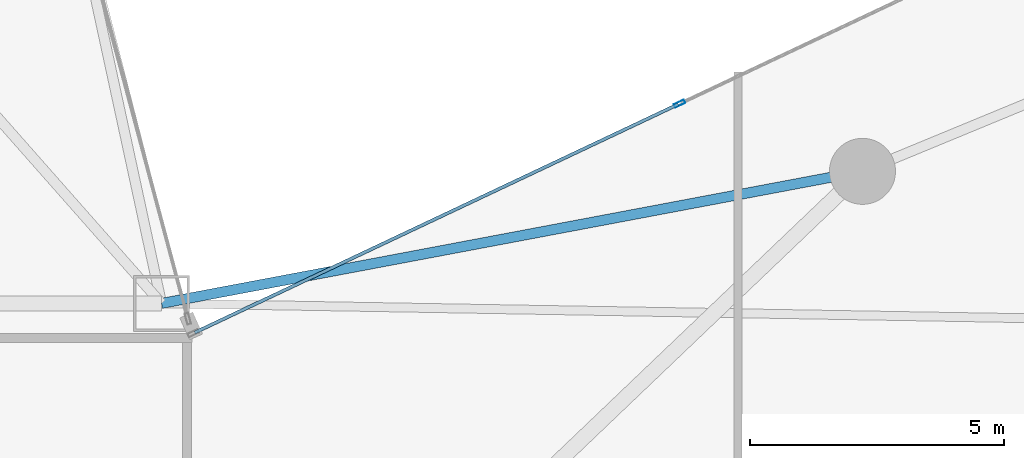
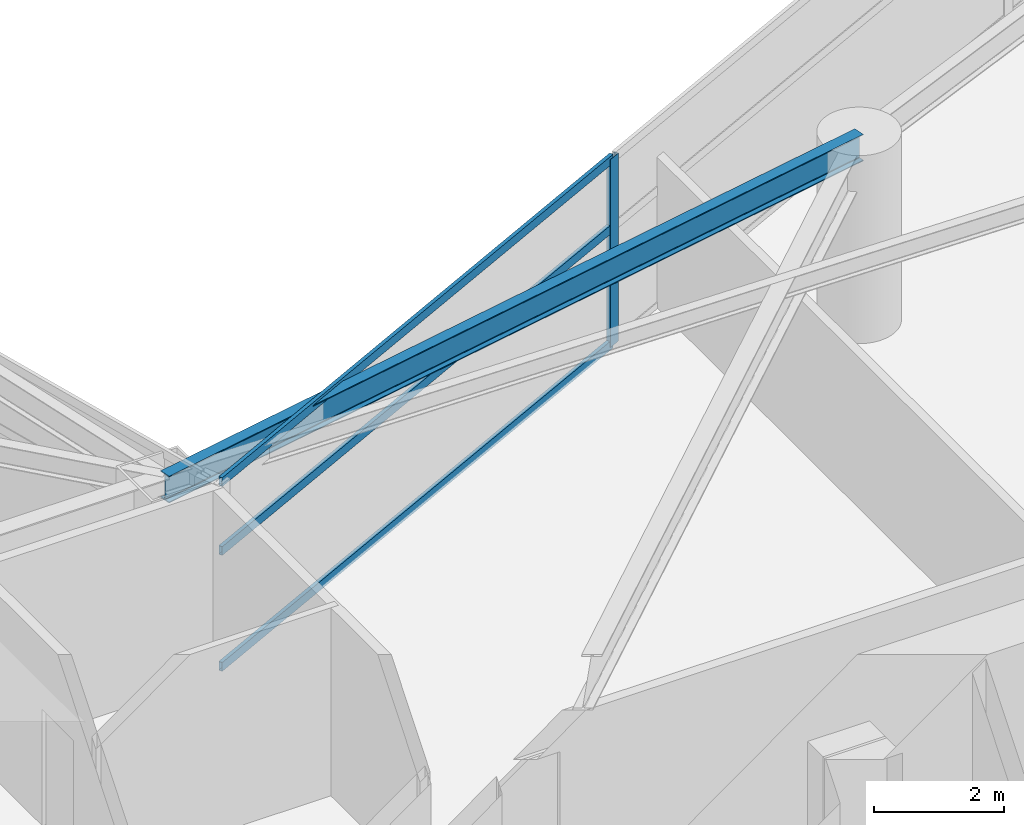
# One storey, part 10 of 28: 4 members, 1 beam, 1 element without a shape of its own.
"""IFC4 building model written with IfcOpenShell, lengths in metres."""

from ifc_helpers import new_model, si_unit, direction, frame, origin, origin_2d, place, context, subcontext, project, spatial, hollow_rectangle, i_section, extrude, material, layer, layer_set, material_profile, profile_set, type_object, element, aggregate, save


model = new_model("IFC4")

# Units and contexts
model_context = context("Model", 3, precision=1e-05, world=origin(), true_north=direction((0.0, 1.0)))
body_context = subcontext(model_context, "Body", "Model", "MODEL_VIEW")
ifc_project = project(units=[si_unit("LENGTHUNIT", "METRE"), si_unit("AREAUNIT", "SQUARE_METRE"), si_unit("VOLUMEUNIT", "CUBIC_METRE"), si_unit("PLANEANGLEUNIT", "RADIAN"), si_unit("MASSUNIT", "GRAM", prefix="KILO")], contexts=[model_context])

# Site, building, storey
site_placement = place(None, origin())
site = spatial("IfcSite", under=ifc_project, at=site_placement, CompositionType="ELEMENT")
building_placement = place(site_placement, origin())
building = spatial("IfcBuilding", under=site, at=building_placement, Name="Calvorn Quay Hotel", CompositionType="ELEMENT")
storey_placement = place(building_placement, frame((0.0, 0.0, 88.800048828125)))
storey = spatial("IfcBuildingStorey", under=building, at=storey_placement, Name="L21", CompositionType="ELEMENT", Elevation=88.800048828125)

# Beam
ifc_material_1 = material(Name="Steel Q355B", Category="steel")
ifc_material_profile_1 = material_profile(ifc_material_1, i_section(OverallWidth=0.199951171875, OverallDepth=0.5, WebThickness=0.010009765625, FlangeThickness=0.01611328125, FilletRadius=0.01611328125, at=origin_2d()), Name="HN500x200x10x16")
ifc_profile_set_1 = profile_set([ifc_material_profile_1], Name="Steel Q355B")
beam_type = type_object("IfcBeamType", Name="BM-SPANDREL-Z1", PredefinedType="SPANDREL", material=ifc_profile_set_1)
beam_placement = place(storey_placement, frame((34.800048828125, 27.60009765625, 3.27001953125), z_axis=(-0.982709432406, -0.185154452988, 0.0), x_axis=(0.185154452988, -0.982709432406, 0.0)))
element("IfcBeam", 1, at=beam_placement, inside=storey, type_object=beam_type, Name="Beam BSP-L21-E5", PredefinedType="SPANDREL", context=body_context, shape_type="SweptSolid", body=[
    extrude(i_section(OverallWidth=0.199951171875, OverallDepth=0.5, WebThickness=0.010009765625, FlangeThickness=0.01611328125, FilletRadius=0.01611328125, at=origin_2d()), origin(), (0.0, 0.0, 1.0), 14.04296875),
])

# Curtain wall, members
ifc_material_2 = material(Name="Pale Anodised Aluminium and Low-E Glass", Category="aluminium")
ifc_layer = layer(ifc_material_2, 0.219970703125)
ifc_layer_set = layer_set([ifc_layer], Name="CW-SYS-Z1")
curtain_wall_type = type_object("IfcCurtainWallType", Name="CW-SYS-Z1", PredefinedType="NOTDEFINED", material=ifc_layer_set)
curtain_wall_placement = place(storey_placement, origin())
curtain_wall = element("IfcCurtainWall", 2, at=curtain_wall_placement, inside=storey, type_object=curtain_wall_type, Name="Inner Court Curtain Wall L21-NE1", PredefinedType="NOTDEFINED")
ifc_material_3 = material(Name="Pale Anodised Aluminium 6063-T6", Category="aluminium")
ifc_material_profile_2 = material_profile(ifc_material_3, hollow_rectangle(XDim=0.074951171875, YDim=0.219970703125, WallThickness=0.00439453125, at=origin_2d()), Name="ALU-M220x75x4.5")
ifc_profile_set_2 = profile_set([ifc_material_profile_2], Name="Pale Anodised Aluminium 6063-T6")
member_type_1 = type_object("IfcMemberType", Name="CW-SYS-Z1-MUL", PredefinedType="MULLION", material=ifc_profile_set_2)
member_1_placement = place(storey_placement, frame((31.199951171875, 28.933349609375, 0.0), z_axis=(0.0, 0.0, 1.0), x_axis=(0.427006305415, -0.904248646743, 0.0)))
member_1 = element("IfcMember", 3, at=member_1_placement, type_object=member_type_1, Name="CW-L21-NE1 mullion 3", PredefinedType="MULLION", context=body_context, shape_type="SweptSolid", body=[
    extrude(hollow_rectangle(XDim=0.074951171875, YDim=0.219970703125, WallThickness=0.00439453125, at=origin_2d()), origin(), (0.0, 0.0, 1.0), 3.52001953125),
])
ifc_material_4 = material(Name="Pale Anodised Aluminium 6063-T6", Category="aluminium")
ifc_material_profile_3 = material_profile(ifc_material_4, hollow_rectangle(XDim=0.06494140625, YDim=0.1650390625, WallThickness=0.00341796875, at=origin_2d()), Name="ALU-T165x65x3.5")
ifc_profile_set_3 = profile_set([ifc_material_profile_3], Name="Pale Anodised Aluminium 6063-T6")
member_type_2 = type_object("IfcMemberType", Name="CW-SYS-Z1-TRN", PredefinedType="USERDEFINED", material=ifc_profile_set_3)
member_2_placement = place(storey_placement, frame((31.1728515625, 28.92041015625, 0.030029296875), z_axis=(-0.904248646746, -0.427006305408, 0.0), x_axis=(0.427006305408, -0.904248646746, 0.0)))
member_2 = element("IfcMember", 4, at=member_2_placement, type_object=member_type_2, Name="CW-L21-NE1 transom 3.1", ObjectType="TRANSOM", PredefinedType="USERDEFINED", context=body_context, shape_type="SweptSolid", body=[
    extrude(hollow_rectangle(XDim=0.06494140625, YDim=0.1650390625, WallThickness=0.00341796875, at=origin_2d()), origin(), (0.0, 0.0, 1.0), 10.5263671875),
])
member_3_placement = place(storey_placement, frame((31.1728515625, 28.92041015625, 2.199951171875), z_axis=(-0.904248646746, -0.427006305408, 0.0), x_axis=(0.427006305408, -0.904248646746, 0.0)))
member_3 = element("IfcMember", 5, at=member_3_placement, type_object=member_type_2, Name="CW-L21-NE1 transom 3.2", ObjectType="TRANSOM", PredefinedType="USERDEFINED", context=body_context, shape_type="SweptSolid", body=[
    extrude(hollow_rectangle(XDim=0.06494140625, YDim=0.1650390625, WallThickness=0.00341796875, at=origin_2d()), origin(), (0.0, 0.0, 1.0), 10.5263671875),
])
member_4_placement = place(storey_placement, frame((31.1728515625, 28.92041015625, 3.489990234375), z_axis=(-0.904248646746, -0.427006305408, 0.0), x_axis=(0.427006305408, -0.904248646746, 0.0)))
member_4 = element("IfcMember", 6, at=member_4_placement, type_object=member_type_2, Name="CW-L21-NE1 transom 3.3", ObjectType="TRANSOM", PredefinedType="USERDEFINED", context=body_context, shape_type="SweptSolid", body=[
    extrude(hollow_rectangle(XDim=0.06494140625, YDim=0.1650390625, WallThickness=0.00341796875, at=origin_2d()), origin(), (0.0, 0.0, 1.0), 10.5263671875),
])
aggregate(curtain_wall, [member_1, member_2, member_3, member_4])

save(model, "model.ifc")
